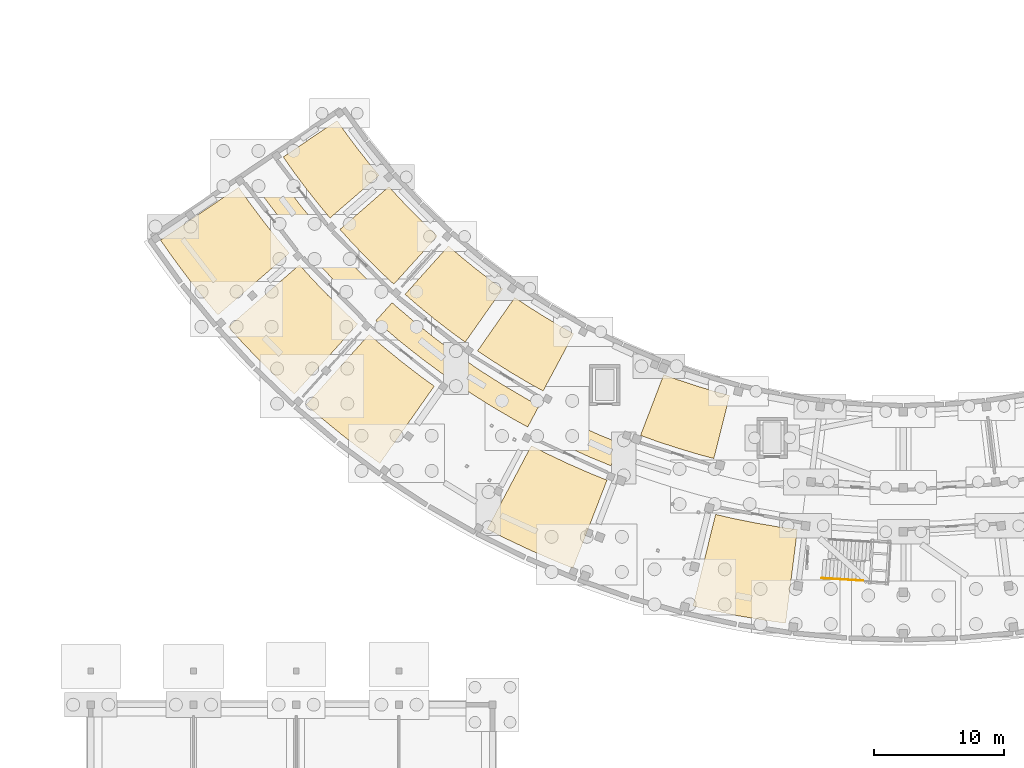
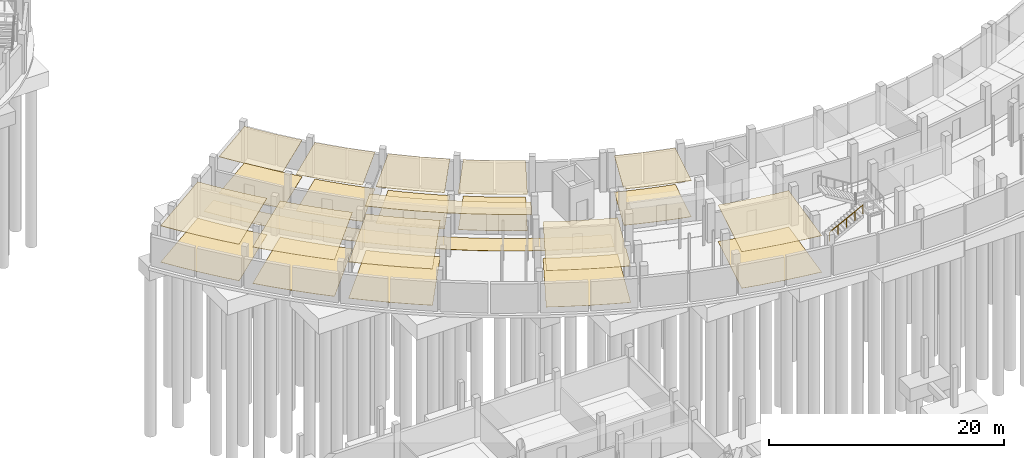
# One storey, part 49 of 58: 22 coverings, 1 railing.
"""IFC4 building model written with IfcOpenShell, lengths in metres."""

import ifcopenshell
import ifcopenshell.guid

model = None  # the IFC model being written
_history = None  # IfcOwnerHistory: only IFC2X3 demands one
_inside = {}  # id of a spatial element -> (the spatial element, [elements in it])
_under = {}  # id of a project, library or spatial element -> (it, [spatial elements below it])
_declared = {}  # id of a project -> (the project, [libraries it declares])
_typed = {}  # id of a type object -> (the type object, [elements of that type])
_made_of = {}  # id of a material, layer set ... -> (it, [elements and type objects made of it])


def new_model(schema):
    """Start an empty IFC model of exactly this schema.

    Asked for "IFC4X3", IfcOpenShell would pick the latest addendum, in which some entities
    have other attributes; the version numbers below select the first issue.
    IFC2X3 requires an IfcOwnerHistory on every rooted entity: one is made here for all.
    """
    global model, _history
    if schema == "IFC4X3":
        model = ifcopenshell.file(schema_version=(4, 3, 0, 0))
    else:
        model = ifcopenshell.file(schema=schema)
    _inside.clear()
    _under.clear()
    _declared.clear()
    _typed.clear()
    _made_of.clear()
    _history = None
    if model.schema == "IFC2X3":
        org = make("IfcOrganization", Name="unknown")
        user = make(
            "IfcPersonAndOrganization",
            ThePerson=make("IfcPerson", FamilyName="unknown"),
            TheOrganization=org,
        )
        app = make(
            "IfcApplication",
            ApplicationDeveloper=org,
            Version="unknown",
            ApplicationFullName="unknown",
            ApplicationIdentifier="unknown",
        )
        _history = make(
            "IfcOwnerHistory",
            OwningUser=user,
            OwningApplication=app,
            ChangeAction="ADDED",
            CreationDate=0,
        )
    return model


def make(cls, **values):
    """One entity of the class cls with the attributes given. An attribute that is None is left unset."""
    return model.create_entity(
        cls, **{name: value for name, value in values.items() if value is not None}
    )


def rooted(cls, **values):
    """An entity with a GlobalId (a new one), such as an element, a storey or a relation."""
    return make(cls, GlobalId=ifcopenshell.guid.new(), OwnerHistory=_history, **values)


def si_unit(unit_type, name, prefix=None):
    """IfcSIUnit, for example si_unit("LENGTHUNIT", "METRE", prefix="MILLI")."""
    return make("IfcSIUnit", UnitType=unit_type, Prefix=prefix, Name=name)


def assignment(units):
    """IfcUnitAssignment: the units of a project."""
    return None if units is None else make("IfcUnitAssignment", Units=units)


def point(xyz):
    """IfcCartesianPoint."""
    return None if xyz is None else make("IfcCartesianPoint", Coordinates=xyz)


def direction(xyz):
    """IfcDirection."""
    return None if xyz is None else make("IfcDirection", DirectionRatios=xyz)


def frame(location, z_axis=None, x_axis=None):
    """IfcAxis2Placement3D, a coordinate frame: its origin and axes. An axis left out is left unset."""
    return make(
        "IfcAxis2Placement3D",
        Location=point(location),
        Axis=direction(z_axis),
        RefDirection=direction(x_axis),
    )


def frame_2d(location, x_axis=None):
    """IfcAxis2Placement2D, a coordinate frame in the plane: its origin and x axis."""
    return make(
        "IfcAxis2Placement2D", Location=point(location), RefDirection=direction(x_axis)
    )


def origin():
    """The frame at (0, 0, 0) with its axes left unset."""
    return frame((0.0, 0.0, 0.0))


def origin_2d():
    """The frame at (0, 0) in the plane with its x axis left unset."""
    return frame_2d((0.0, 0.0))


def place(relative_to, where):
    """IfcLocalPlacement: puts the frame where relative to a parent placement (None: the world)."""
    return make(
        "IfcLocalPlacement", PlacementRelTo=relative_to, RelativePlacement=where
    )


def context(
    kind, dimensions, precision=None, world=None, true_north=None, identifier=None
):
    """IfcGeometricRepresentationContext, for example the 3D "Model" context."""
    return make(
        "IfcGeometricRepresentationContext",
        ContextIdentifier=identifier,
        ContextType=kind,
        CoordinateSpaceDimension=dimensions,
        Precision=precision,
        WorldCoordinateSystem=world,
        TrueNorth=true_north,
    )


def subcontext(parent, identifier, kind, view, scale=None):
    """IfcGeometricRepresentationSubContext, for example "Body" below "Model"."""
    return make(
        "IfcGeometricRepresentationSubContext",
        ContextIdentifier=identifier,
        ContextType=kind,
        ParentContext=parent,
        TargetScale=scale,
        TargetView=view,
    )


def project(units=None, contexts=None):
    """IfcProject with its units and contexts."""
    return rooted(
        "IfcProject",
        Name="project",
        RepresentationContexts=contexts,
        UnitsInContext=assignment(units),
    )


def spatial(cls, under=None, at=None, **own):
    """A site, building, storey or space (cls), placed at a placement, below another one or the project."""
    s = rooted(cls, ObjectPlacement=at, **own)
    if under is not None:
        _under.setdefault(under.id(), (under, []))[1].append(s)
    return s


def polyline(points):
    """IfcPolyline through the points."""
    return make("IfcPolyline", Points=[point(p) for p in points])


def profile(cls, at=None, kind="AREA", **sizes):
    """A parametric profile (cls). Its sizes go by their IFC names, for example OverallWidth=200.0."""
    return make(cls, ProfileType=kind, Position=at, **sizes)


def circle(**sizes):
    """IfcCircleProfileDef."""
    return profile("IfcCircleProfileDef", **sizes)


def outline(outer, holes=None, kind="AREA"):
    """IfcArbitraryClosedProfileDef: a profile drawn as a closed curve; with holes, ...WithVoids."""
    if holes is None:
        return make("IfcArbitraryClosedProfileDef", ProfileType=kind, OuterCurve=outer)
    return make(
        "IfcArbitraryProfileDefWithVoids",
        ProfileType=kind,
        OuterCurve=outer,
        InnerCurves=holes,
    )


def extrude(swept, where, along, depth):
    """IfcExtrudedAreaSolid: the profile swept, set in the frame where, extruded along a direction by depth."""
    return make(
        "IfcExtrudedAreaSolid",
        SweptArea=swept,
        Position=where,
        ExtrudedDirection=direction(along),
        Depth=depth,
    )


def shape(context_of_items, identifier, shape_type, items):
    """IfcShapeRepresentation: the items that make up one representation, for example the "Body"."""
    return make(
        "IfcShapeRepresentation",
        ContextOfItems=context_of_items,
        RepresentationIdentifier=identifier,
        RepresentationType=shape_type,
        Items=items,
    )


def material(Name=None, Category=None):
    """IfcMaterial."""
    return make("IfcMaterial", Name=Name, Category=Category)


def layer(
    of_material, thickness, ventilated=None, Name=None, Category=None, Priority=None
):
    """IfcMaterialLayer: one layer of a wall or slab, of a material (None: an air gap)."""
    return make(
        "IfcMaterialLayer",
        Material=of_material,
        LayerThickness=thickness,
        IsVentilated=ventilated,
        Name=Name,
        Category=Category,
        Priority=Priority,
    )


def layer_set(layers, Name=None):
    """IfcMaterialLayerSet."""
    return make("IfcMaterialLayerSet", MaterialLayers=layers, LayerSetName=Name)


def made_of(thing, what):
    """Note that an element or type object is made of a material, layer set ...; save() writes the relation."""
    if what is not None:
        _made_of.setdefault(what.id(), (what, []))[1].append(thing)
    return thing


def type_object(cls, material=None, **own):
    """A type object (cls), such as IfcWallType, which elements share."""
    return made_of(rooted(cls, **own), material)


def element(
    cls,
    number,
    at=None,
    inside=None,
    cuts=None,
    type_object=None,
    material=None,
    context=None,
    identifier="Body",
    shape_type=None,
    held_by="IfcProductDefinitionShape",
    body=None,
    shapes=None,
    **own,
):
    """One element of the class cls, such as IfcWall. Its Tag is "e" and its number.

    at: its placement. inside: the storey or other place that contains it. cuts: it is an
    opening in that element (IfcRelVoidsElement). A single representation is given by context,
    identifier, shape_type and body (its items); several are given by shapes. held_by: the class
    of the entity that holds the representations. save() writes the other relations.
    """
    e = rooted(cls, Tag="e%d" % number, ObjectPlacement=at, **own)
    if body is not None:
        shapes = [shape(context, identifier, shape_type, body)]
    if shapes is not None:
        e.Representation = make(held_by, Representations=shapes)
    if inside is not None:
        _inside.setdefault(inside.id(), (inside, []))[1].append(e)
    if cuts is not None:
        rooted(
            "IfcRelVoidsElement", RelatingBuildingElement=cuts, RelatedOpeningElement=e
        )
    if type_object is not None:
        _typed.setdefault(type_object.id(), (type_object, []))[1].append(e)
    return made_of(e, material)


def aggregate(whole, parts):
    """IfcRelAggregates: a whole, such as a stair, and the parts it consists of."""
    return rooted("IfcRelAggregates", RelatingObject=whole, RelatedObjects=parts)


def save(model, path):
    """Write the relations noted so far, then the file.

    IfcRelAggregates (storeys below a building ...), IfcRelContainedInSpatialStructure (elements
    in a storey), IfcRelDefinesByType, IfcRelAssociatesMaterial and IfcRelDeclares: one each for
    every whole, place, type object, material and project.
    """
    for whole, parts in _under.values():
        aggregate(whole, parts)
    for where, things in _inside.values():
        rooted(
            "IfcRelContainedInSpatialStructure",
            RelatedElements=things,
            RelatingStructure=where,
        )
    for kind, things in _typed.values():
        rooted("IfcRelDefinesByType", RelatedObjects=things, RelatingType=kind)
    for what, things in _made_of.values():
        rooted("IfcRelAssociatesMaterial", RelatedObjects=things, RelatingMaterial=what)
    for by, libraries in _declared.values():
        rooted("IfcRelDeclares", RelatingContext=by, RelatedDefinitions=libraries)
    model.write(path)


model = new_model("IFC4")

# Units and contexts
model_context = context("Model", 3, precision=1e-05, world=origin(), true_north=direction((0.0, 1.0)))
body_context = subcontext(model_context, "Body", "Model", "MODEL_VIEW")
ifc_project = project(units=[si_unit("LENGTHUNIT", "METRE"), si_unit("AREAUNIT", "SQUARE_METRE"), si_unit("VOLUMEUNIT", "CUBIC_METRE"), si_unit("PLANEANGLEUNIT", "RADIAN"), si_unit("MASSUNIT", "GRAM", prefix="KILO")], contexts=[model_context])

# Site, building, storey
site_placement = place(None, origin())
site = spatial("IfcSite", under=ifc_project, at=site_placement, CompositionType="ELEMENT")
building_placement = place(site_placement, origin())
building = spatial("IfcBuilding", under=site, at=building_placement, Name="Caldaven Crescent School", CompositionType="ELEMENT")
storey_placement = place(building_placement, frame((0.0, 0.0, -4.080078125)))
storey = spatial("IfcBuildingStorey", under=building, at=storey_placement, Name="B1", CompositionType="ELEMENT", Elevation=-4.080078125)

# Coverings
ifc_material_1 = material(Name="Perforated Pino Radiata acoustic timber baffle ceiling", Category="wood")
ifc_layer_1 = layer(ifc_material_1, 0.030029296875)
ifc_layer_set_1 = layer_set([ifc_layer_1], Name="Perforated Pino Radiata acoustic timber baffle ceiling")
covering_type_1 = type_object("IfcCoveringType", Name="COV-CLG1", PredefinedType="CEILING", material=ifc_layer_set_1)
covering_1_placement = place(storey_placement, frame((0.0, 0.0, 3.7900390625)))
element("IfcCovering", 1, at=covering_1_placement, inside=storey, type_object=covering_type_1, Name="CLG-B1-064", PredefinedType="CEILING", context=body_context, shape_type="SweptSolid", body=[
    extrude(outline(polyline([(49.169189453125, 60.03125), (49.177978515625, 60.021484375), (50.242919921875, 58.905517578125), (50.252197265625, 58.896240234375), (51.349609375, 57.81201171875), (51.359130859375, 57.802734375), (52.163330078125, 57.053466796875), (48.809326171875, 53.345458984375), (47.892578125, 54.199462890625), (46.681396484375, 55.396240234375), (45.505859375, 56.62841796875), (44.668212890625, 57.559814453125), (48.43408203125, 60.8486328125), (49.169189453125, 60.03125)])), origin(), (0.0, 0.0, 1.0), 0.030029296875),
])
covering_2_placement = place(storey_placement, frame((0.0, 0.0, 3.7900390625)))
element("IfcCovering", 2, at=covering_2_placement, inside=storey, type_object=covering_type_1, Name="CLG-B1-068", PredefinedType="CEILING", context=body_context, shape_type="SweptSolid", body=[
    extrude(outline(polyline([(59.024169921875, 51.705810546875), (59.035400390625, 51.698486328125), (60.338623046875, 50.873291015625), (60.349853515625, 50.8662109375), (61.6767578125, 50.07958984375), (61.688232421875, 50.072998046875), (62.64990234375, 49.540771484375), (60.29248046875, 45.131591796875), (59.196533203125, 45.73828125), (57.731689453125, 46.606689453125), (56.29296875, 47.517578125), (55.2548828125, 48.218505859375), (58.11328125, 52.32080078125), (59.024169921875, 51.705810546875)])), origin(), (0.0, 0.0, 1.0), 0.030029296875),
])
covering_3_placement = place(storey_placement, frame((0.0, 0.0, 3.7900390625)))
element("IfcCovering", 3, at=covering_3_placement, inside=storey, type_object=covering_type_1, Name="CLG-B1-072", PredefinedType="CEILING", context=body_context, shape_type="SweptSolid", body=[
    extrude(outline(polyline([(74.893310546875, 35.32958984375), (74.90625, 35.326904296875), (76.68212890625, 34.970703125), (76.695068359375, 34.96826171875), (78.480712890625, 34.664306640625), (78.493896484375, 34.662353515625), (79.848388671875, 34.47265625), (78.947265625, 27.268798828125), (77.374755859375, 27.489013671875), (75.365478515625, 27.8310546875), (73.367431640625, 28.231689453125), (71.8203125, 28.589599609375), (73.560546875, 35.637939453125), (74.893310546875, 35.32958984375)])), origin(), (0.0, 0.0, 1.0), 0.030029296875),
])
ifc_layer_2 = layer(ifc_material_1, 0.0380859375)
ifc_layer_set_2 = layer_set([ifc_layer_2], Name="Perforated Pino Radiata acoustic timber baffle ceiling")
covering_type_2 = type_object("IfcCoveringType", Name="COV-CLG2", PredefinedType="CEILING", material=ifc_layer_set_2)
covering_4_placement = place(storey_placement, frame((0.0, 0.0, 3.781982421875)))
element("IfcCovering", 4, at=covering_4_placement, inside=storey, type_object=covering_type_2, Name="CLG-B1-061", PredefinedType="CEILING", context=body_context, shape_type="SweptSolid", body=[
    extrude(outline(polyline([(48.78564453125, 51.82421875), (48.797607421875, 51.813720703125), (50.37890625, 50.459716796875), (50.39111328125, 50.44970703125), (52.01953125, 49.152587890625), (52.0322265625, 49.14306640625), (53.70556640625, 47.90478515625), (53.718505859375, 47.8955078125), (55.434814453125, 46.71728515625), (55.4482421875, 46.70849609375), (57.205322265625, 45.59228515625), (57.218994140625, 45.583984375), (59.014404296875, 44.530517578125), (59.028564453125, 44.522705078125), (59.98828125, 44.004638671875), (59.11328125, 42.36376953125), (58.10888671875, 42.906005859375), (56.24267578125, 44.000732421875), (54.41650390625, 45.160888671875), (52.63232421875, 46.385498046875), (50.893310546875, 47.672607421875), (49.20068359375, 49.0205078125), (47.556884765625, 50.427734375), (47.432861328125, 50.5419921875), (48.6767578125, 51.924560546875), (48.78564453125, 51.82421875)])), origin(), (0.0, 0.0, 1.0), 0.0380859375),
])
covering_5_placement = place(storey_placement, frame((0.0, 0.0, 3.781982421875)))
element("IfcCovering", 5, at=covering_5_placement, inside=storey, type_object=covering_type_2, Name="CLG-B1-065", PredefinedType="CEILING", context=body_context, shape_type="SweptSolid", body=[
    extrude(outline(polyline([(42.464599609375, 53.8193359375), (42.473388671875, 53.809814453125), (43.723876953125, 52.499267578125), (43.733154296875, 52.489990234375), (45.021484375, 51.216796875), (45.03125, 51.20751953125), (46.031982421875, 50.275146484375), (41.161865234375, 44.89111328125), (40.0, 45.973388671875), (38.55029296875, 47.406005859375), (37.1435546875, 48.88037109375), (36.08154296875, 50.060791015625), (41.5498046875, 54.83642578125), (42.464599609375, 53.8193359375)])), origin(), (0.0, 0.0, 1.0), 0.0380859375),
])
covering_6_placement = place(storey_placement, frame((0.0, 0.0, 3.781982421875)))
element("IfcCovering", 6, at=covering_6_placement, inside=storey, type_object=covering_type_2, Name="CLG-B1-069", PredefinedType="CEILING", context=body_context, shape_type="SweptSolid", body=[
    extrude(outline(polyline([(60.60498046875, 40.302490234375), (60.616943359375, 40.296875), (62.25390625, 39.521484375), (62.26611328125, 39.51611328125), (63.925048828125, 38.789306640625), (63.937255859375, 38.7841796875), (65.205810546875, 38.272216796875), (62.58837890625, 31.50048828125), (61.115966796875, 32.094482421875), (59.249267578125, 32.912353515625), (57.407470703125, 33.78466796875), (55.9931640625, 34.506103515625), (59.38671875, 40.92431640625), (60.60498046875, 40.302490234375)])), origin(), (0.0, 0.0, 1.0), 0.0380859375),
])
ifc_layer_3 = layer(ifc_material_1, 0.0458984375)
ifc_layer_set_3 = layer_set([ifc_layer_3], Name="Perforated Pino Radiata acoustic timber baffle ceiling")
covering_type_3 = type_object("IfcCoveringType", Name="COV-CLG3", PredefinedType="CEILING", material=ifc_layer_set_3)
covering_7_placement = place(storey_placement, frame((0.0, 0.0, 3.774169921875)))
element("IfcCovering", 7, at=covering_7_placement, inside=storey, type_object=covering_type_3, Name="CLG-B1-062", PredefinedType="CEILING", context=body_context, shape_type="SweptSolid", body=[
    extrude(outline(polyline([(45.0751953125, 65.03173828125), (45.082763671875, 65.02099609375), (46.00390625, 63.783447265625), (46.011962890625, 63.77294921875), (46.968994140625, 62.56298828125), (46.977294921875, 62.552978515625), (47.68408203125, 61.711181640625), (43.9033203125, 58.439697265625), (43.097412109375, 59.39892578125), (42.041015625, 60.734619140625), (41.0244140625, 62.1005859375), (40.306396484375, 63.127197265625), (44.445068359375, 65.9326171875), (45.0751953125, 65.03173828125)])), origin(), (0.0, 0.0, 1.0), 0.0458984375),
])
covering_8_placement = place(storey_placement, frame((0.0, 0.0, 3.774169921875)))
element("IfcCovering", 8, at=covering_8_placement, inside=storey, type_object=covering_type_3, Name="CLG-B1-066", PredefinedType="CEILING", context=body_context, shape_type="SweptSolid", body=[
    extrude(outline(polyline([(53.842041015625, 55.567138671875), (53.85205078125, 55.55859375), (55.045166015625, 54.580810546875), (55.055419921875, 54.572509765625), (56.27685546875, 53.6298828125), (56.287353515625, 53.6220703125), (57.177001953125, 52.976318359375), (54.2998046875, 48.88720703125), (53.285888671875, 49.623291015625), (51.937744140625, 50.66357421875), (50.620849609375, 51.742919921875), (49.67578125, 52.5654296875), (53.0126953125, 56.288818359375), (53.842041015625, 55.567138671875)])), origin(), (0.0, 0.0, 1.0), 0.0458984375),
])
ifc_layer_4 = layer(ifc_material_1, 0.053955078125)
ifc_layer_set_4 = layer_set([ifc_layer_4], Name="Perforated Pino Radiata acoustic timber baffle ceiling")
covering_type_4 = type_object("IfcCoveringType", Name="COV-CLG4", PredefinedType="CEILING", material=ifc_layer_set_4)
covering_9_placement = place(storey_placement, frame((0.0, 0.0, 3.76611328125)))
element("IfcCovering", 9, at=covering_9_placement, inside=storey, type_object=covering_type_4, Name="CLG-B1-063", PredefinedType="CEILING", context=body_context, shape_type="SweptSolid", body=[
    extrude(outline(polyline([(37.66357421875, 59.68310546875), (37.671142578125, 59.672607421875), (38.752685546875, 58.219482421875), (38.7607421875, 58.208984375), (39.88427734375, 56.788330078125), (39.892578125, 56.778076171875), (40.772216796875, 55.730712890625), (35.2822265625, 50.980224609375), (34.260986328125, 52.1962890625), (32.996826171875, 53.794677734375), (31.7802734375, 55.429443359375), (30.8701171875, 56.730712890625), (36.87939453125, 60.80419921875), (37.66357421875, 59.68310546875)])), origin(), (0.0, 0.0, 1.0), 0.053955078125),
])
covering_10_placement = place(storey_placement, frame((0.0, 0.0, 3.76611328125)))
element("IfcCovering", 10, at=covering_10_placement, inside=storey, type_object=covering_type_4, Name="CLG-B1-067", PredefinedType="CEILING", context=body_context, shape_type="SweptSolid", body=[
    extrude(outline(polyline([(47.9443359375, 48.58447265625), (47.95458984375, 48.575927734375), (49.355224609375, 47.427734375), (49.36572265625, 47.41943359375), (50.7998046875, 46.312744140625), (50.810302734375, 46.304931640625), (51.917236328125, 45.50146484375), (47.739501953125, 39.56396484375), (46.45458984375, 40.496826171875), (44.841064453125, 41.74169921875), (43.264892578125, 43.03369140625), (42.067138671875, 44.075927734375), (46.91259765625, 49.482421875), (47.9443359375, 48.58447265625)])), origin(), (0.0, 0.0, 1.0), 0.053955078125),
])
covering_11_placement = place(storey_placement, frame((0.0, 0.0, 3.76611328125)))
element("IfcCovering", 11, at=covering_11_placement, inside=storey, type_object=covering_type_4, Name="CLG-B1-071", PredefinedType="CEILING", context=body_context, shape_type="SweptSolid", body=[
    extrude(outline(polyline([(70.6005859375, 46.01171875), (70.613037109375, 46.00732421875), (72.077392578125, 45.521728515625), (72.090087890625, 45.517822265625), (73.56787109375, 45.07568359375), (73.58056640625, 45.072021484375), (74.642333984375, 44.7880859375), (73.421630859375, 39.939453125), (72.21142578125, 40.26318359375), (70.580078125, 40.751220703125), (68.9638671875, 41.287109375), (67.78662109375, 41.716064453125), (69.56787109375, 46.38818359375), (70.6005859375, 46.01171875)])), origin(), (0.0, 0.0, 1.0), 0.053955078125),
])
ifc_material_2 = material(Name="Polished terrazzo and acoustic linoleum flooring")
ifc_layer_5 = layer(ifc_material_2, 0.02001953125)
ifc_layer_set_5 = layer_set([ifc_layer_5], Name="Polished terrazzo and acoustic linoleum flooring")
covering_type_5 = type_object("IfcCoveringType", Name="COV-FLR1", PredefinedType="FLOORING", material=ifc_layer_set_5)
covering_12_placement = place(storey_placement, origin())
element("IfcCovering", 12, at=covering_12_placement, inside=storey, type_object=covering_type_5, Name="FLR-B1-063", PredefinedType="FLOORING", context=body_context, shape_type="SweptSolid", body=[
    extrude(outline(polyline([(36.87939453125, 60.80419921875), (37.66357421875, 59.68310546875), (37.671142578125, 59.672607421875), (38.752685546875, 58.219482421875), (38.7607421875, 58.208984375), (39.88427734375, 56.788330078125), (39.892578125, 56.778076171875), (40.772216796875, 55.730712890625), (35.2822265625, 50.980224609375), (34.260986328125, 52.1962890625), (32.996826171875, 53.794677734375), (31.7802734375, 55.429443359375), (30.8701171875, 56.730712890625), (36.87939453125, 60.80419921875)])), origin(), (0.0, 0.0, 1.0), 0.02001953125),
])
covering_13_placement = place(storey_placement, origin())
element("IfcCovering", 13, at=covering_13_placement, inside=storey, type_object=covering_type_5, Name="FLR-B1-066", PredefinedType="FLOORING", context=body_context, shape_type="SweptSolid", body=[
    extrude(outline(polyline([(53.0126953125, 56.288818359375), (53.842041015625, 55.567138671875), (53.85205078125, 55.55859375), (55.045166015625, 54.580810546875), (55.055419921875, 54.572509765625), (56.27685546875, 53.6298828125), (56.287353515625, 53.6220703125), (57.177001953125, 52.976318359375), (54.2998046875, 48.88720703125), (53.285888671875, 49.623291015625), (51.937744140625, 50.66357421875), (50.620849609375, 51.742919921875), (49.67578125, 52.5654296875), (53.0126953125, 56.288818359375)])), origin(), (0.0, 0.0, 1.0), 0.02001953125),
])
covering_14_placement = place(storey_placement, origin())
element("IfcCovering", 14, at=covering_14_placement, inside=storey, type_object=covering_type_5, Name="FLR-B1-069", PredefinedType="FLOORING", context=body_context, shape_type="SweptSolid", body=[
    extrude(outline(polyline([(59.38671875, 40.92431640625), (60.60498046875, 40.302490234375), (60.616943359375, 40.296875), (62.25390625, 39.521484375), (62.26611328125, 39.51611328125), (63.925048828125, 38.789306640625), (63.937255859375, 38.7841796875), (65.205810546875, 38.272216796875), (62.58837890625, 31.50048828125), (61.115966796875, 32.094482421875), (59.249267578125, 32.912353515625), (57.407470703125, 33.78466796875), (55.9931640625, 34.506103515625), (59.38671875, 40.92431640625)])), origin(), (0.0, 0.0, 1.0), 0.02001953125),
])
covering_15_placement = place(storey_placement, origin())
element("IfcCovering", 15, at=covering_15_placement, inside=storey, type_object=covering_type_5, Name="FLR-B1-072", PredefinedType="FLOORING", context=body_context, shape_type="SweptSolid", body=[
    extrude(outline(polyline([(73.560546875, 35.637939453125), (74.893310546875, 35.32958984375), (74.90625, 35.326904296875), (76.68212890625, 34.970703125), (76.695068359375, 34.96826171875), (78.480712890625, 34.664306640625), (78.493896484375, 34.662353515625), (79.848388671875, 34.47265625), (78.947265625, 27.268798828125), (77.374755859375, 27.489013671875), (75.365478515625, 27.8310546875), (73.367431640625, 28.231689453125), (71.8203125, 28.589599609375), (73.560546875, 35.637939453125)])), origin(), (0.0, 0.0, 1.0), 0.02001953125),
])
ifc_layer_6 = layer(ifc_material_2, 0.02587890625)
ifc_layer_set_6 = layer_set([ifc_layer_6], Name="Polished terrazzo and acoustic linoleum flooring")
covering_type_6 = type_object("IfcCoveringType", Name="COV-FLR2", PredefinedType="FLOORING", material=ifc_layer_set_6)
covering_16_placement = place(storey_placement, origin())
element("IfcCovering", 16, at=covering_16_placement, inside=storey, type_object=covering_type_6, Name="FLR-B1-061", PredefinedType="FLOORING", context=body_context, shape_type="SweptSolid", body=[
    extrude(outline(polyline([(39.3857421875, 62.456298828125), (40.33056640625, 61.1162109375), (40.340087890625, 61.103271484375), (41.59912109375, 59.445556640625), (41.609130859375, 59.43310546875), (42.926513671875, 57.821044921875), (42.936767578125, 57.808837890625), (44.310302734375, 56.244873046875), (44.321044921875, 56.23291015625), (45.74951171875, 54.718505859375), (45.760498046875, 54.707275390625), (47.241943359375, 53.244384765625), (47.25341796875, 53.2333984375), (48.78564453125, 51.82421875), (48.797607421875, 51.813720703125), (50.37890625, 50.459716796875), (50.39111328125, 50.44970703125), (52.01953125, 49.152587890625), (52.0322265625, 49.14306640625), (53.70556640625, 47.90478515625), (53.718505859375, 47.8955078125), (55.434814453125, 46.71728515625), (55.4482421875, 46.70849609375), (57.205322265625, 45.59228515625), (57.218994140625, 45.583984375), (59.014404296875, 44.530517578125), (59.028564453125, 44.522705078125), (60.8603515625, 43.533935546875), (60.87451171875, 43.526611328125), (62.740234375, 42.603515625), (62.7548828125, 42.596435546875), (64.652099609375, 41.739990234375), (64.6669921875, 41.73388671875), (66.184326171875, 41.11279296875), (65.510498046875, 39.37939453125), (63.924560546875, 40.0283203125), (61.952392578125, 40.91845703125), (60.012939453125, 41.878173828125), (58.10888671875, 42.906005859375), (56.24267578125, 44.000732421875), (54.41650390625, 45.160888671875), (52.63232421875, 46.385498046875), (50.893310546875, 47.672607421875), (49.20068359375, 49.0205078125), (47.556884765625, 50.427734375), (45.96435546875, 51.892578125), (44.4248046875, 53.412841796875), (42.940185546875, 54.987060546875), (41.512451171875, 56.61279296875), (40.143310546875, 58.2880859375), (38.83447265625, 60.010986328125), (37.846923828125, 61.41162109375), (39.3857421875, 62.456298828125)])), origin(), (0.0, 0.0, 1.0), 0.026123046875),
])
covering_17_placement = place(storey_placement, origin())
element("IfcCovering", 17, at=covering_17_placement, inside=storey, type_object=covering_type_6, Name="FLR-B1-064", PredefinedType="FLOORING", context=body_context, shape_type="SweptSolid", body=[
    extrude(outline(polyline([(48.43408203125, 60.8486328125), (49.169189453125, 60.03125), (49.177978515625, 60.021484375), (50.242919921875, 58.905517578125), (50.252197265625, 58.896240234375), (51.349609375, 57.81201171875), (51.359130859375, 57.802734375), (52.163330078125, 57.053466796875), (48.809326171875, 53.345458984375), (47.892578125, 54.199462890625), (46.681396484375, 55.396240234375), (45.505859375, 56.62841796875), (44.668212890625, 57.559814453125), (48.43408203125, 60.8486328125)])), origin(), (0.0, 0.0, 1.0), 0.026123046875),
])
covering_18_placement = place(storey_placement, origin())
element("IfcCovering", 18, at=covering_18_placement, inside=storey, type_object=covering_type_6, Name="FLR-B1-067", PredefinedType="FLOORING", context=body_context, shape_type="SweptSolid", body=[
    extrude(outline(polyline([(46.91259765625, 49.482421875), (47.9443359375, 48.58447265625), (47.95458984375, 48.575927734375), (49.355224609375, 47.427734375), (49.36572265625, 47.41943359375), (50.7998046875, 46.312744140625), (50.810302734375, 46.304931640625), (51.917236328125, 45.50146484375), (47.739501953125, 39.56396484375), (46.45458984375, 40.496826171875), (44.841064453125, 41.74169921875), (43.264892578125, 43.03369140625), (42.067138671875, 44.075927734375), (46.91259765625, 49.482421875)])), origin(), (0.0, 0.0, 1.0), 0.026123046875),
])
ifc_layer_7 = layer(ifc_material_2, 0.031982421875)
ifc_layer_set_7 = layer_set([ifc_layer_7], Name="Polished terrazzo and acoustic linoleum flooring")
covering_type_7 = type_object("IfcCoveringType", Name="COV-FLR3", PredefinedType="FLOORING", material=ifc_layer_set_7)
covering_19_placement = place(storey_placement, origin())
element("IfcCovering", 19, at=covering_19_placement, inside=storey, type_object=covering_type_7, Name="FLR-B1-062", PredefinedType="FLOORING", context=body_context, shape_type="SweptSolid", body=[
    extrude(outline(polyline([(44.445068359375, 65.9326171875), (45.0751953125, 65.03173828125), (45.082763671875, 65.02099609375), (46.00390625, 63.783447265625), (46.011962890625, 63.77294921875), (46.968994140625, 62.56298828125), (46.977294921875, 62.552978515625), (47.68408203125, 61.711181640625), (43.9033203125, 58.439697265625), (43.097412109375, 59.39892578125), (42.041015625, 60.734619140625), (41.0244140625, 62.1005859375), (40.306396484375, 63.127197265625), (44.445068359375, 65.9326171875)])), origin(), (0.0, 0.0, 1.0), 0.031982421875),
])
covering_20_placement = place(storey_placement, origin())
element("IfcCovering", 20, at=covering_20_placement, inside=storey, type_object=covering_type_7, Name="FLR-B1-065", PredefinedType="FLOORING", context=body_context, shape_type="SweptSolid", body=[
    extrude(outline(polyline([(41.5498046875, 54.83642578125), (42.464599609375, 53.8193359375), (42.473388671875, 53.809814453125), (43.723876953125, 52.499267578125), (43.733154296875, 52.489990234375), (45.021484375, 51.216796875), (45.03125, 51.20751953125), (46.031982421875, 50.275146484375), (41.161865234375, 44.89111328125), (40.0, 45.973388671875), (38.55029296875, 47.406005859375), (37.1435546875, 48.88037109375), (36.08154296875, 50.060791015625), (41.5498046875, 54.83642578125)])), origin(), (0.0, 0.0, 1.0), 0.031982421875),
])
covering_21_placement = place(storey_placement, origin())
element("IfcCovering", 21, at=covering_21_placement, inside=storey, type_object=covering_type_7, Name="FLR-B1-068", PredefinedType="FLOORING", context=body_context, shape_type="SweptSolid", body=[
    extrude(outline(polyline([(58.11328125, 52.32080078125), (59.024169921875, 51.705810546875), (59.035400390625, 51.698486328125), (60.338623046875, 50.873291015625), (60.349853515625, 50.8662109375), (61.6767578125, 50.07958984375), (61.688232421875, 50.072998046875), (62.64990234375, 49.540771484375), (60.29248046875, 45.131591796875), (59.196533203125, 45.73828125), (57.731689453125, 46.606689453125), (56.29296875, 47.517578125), (55.2548828125, 48.218505859375), (58.11328125, 52.32080078125)])), origin(), (0.0, 0.0, 1.0), 0.031982421875),
])
covering_22_placement = place(storey_placement, origin())
element("IfcCovering", 22, at=covering_22_placement, inside=storey, type_object=covering_type_7, Name="FLR-B1-071", PredefinedType="FLOORING", context=body_context, shape_type="SweptSolid", body=[
    extrude(outline(polyline([(69.56787109375, 46.38818359375), (70.6005859375, 46.01171875), (70.613037109375, 46.00732421875), (72.077392578125, 45.521728515625), (72.090087890625, 45.517822265625), (73.56787109375, 45.07568359375), (73.58056640625, 45.072021484375), (74.642333984375, 44.7880859375), (73.421630859375, 39.939453125), (72.21142578125, 40.26318359375), (70.580078125, 40.751220703125), (68.9638671875, 41.287109375), (67.78662109375, 41.716064453125), (69.56787109375, 46.38818359375)])), origin(), (0.0, 0.0, 1.0), 0.031982421875),
])

# Railing
ifc_material_3 = material(Name="Brushed stainless-steel continuous tubular handrail", Category="steel")
railing_type = type_object("IfcRailingType", Name="RAL-HR4", PredefinedType="HANDRAIL", material=ifc_material_3)
railing_placement = place(storey_placement, frame((81.72412109375, 30.736328125, 0.173095703125)))
element("IfcRailing", 23, at=railing_placement, inside=storey, type_object=railing_type, Name="HR-STB3-B1-F1", PredefinedType="HANDRAIL", context=body_context, shape_type="SweptSolid", body=[
    extrude(circle(Radius=0.02392578125, at=origin_2d()), frame((0.0, 0.0, 0.916015625), z_axis=(0.861108074075, -0.052622537574, 0.505691361704), x_axis=(0.060996470743, 0.998137981722, 0.0)), (0.0, 0.0, 1.0), 3.69775390625),
    extrude(circle(Radius=0.02099609375, at=origin_2d()), origin(), (0.0, 0.0, 1.0), 0.891845703125),
    extrude(circle(Radius=0.02099609375, at=origin_2d()), frame((0.7958984375, -0.048583984375, 0.467529296875)), (0.0, 0.0, 1.0), 0.891845703125),
    extrude(circle(Radius=0.02099609375, at=origin_2d()), frame((1.592041015625, -0.09716796875, 0.93505859375)), (0.0, 0.0, 1.0), 0.891845703125),
    extrude(circle(Radius=0.02099609375, at=origin_2d()), frame((2.38818359375, -0.14599609375, 1.40234375)), (0.0, 0.0, 1.0), 0.891845703125),
    extrude(circle(Radius=0.02099609375, at=origin_2d()), frame((3.18408203125, -0.194580078125, 1.869873046875)), (0.0, 0.0, 1.0), 0.891845703125),
])

save(model, "model.ifc")
